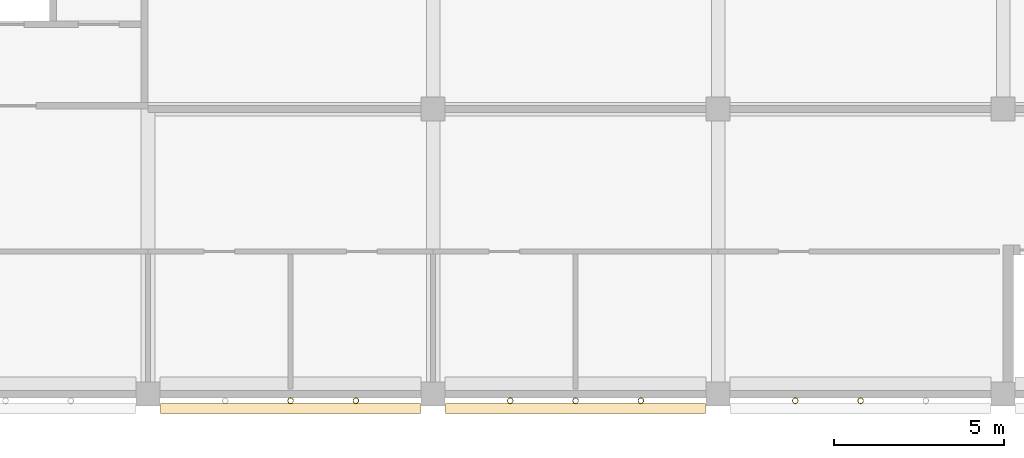
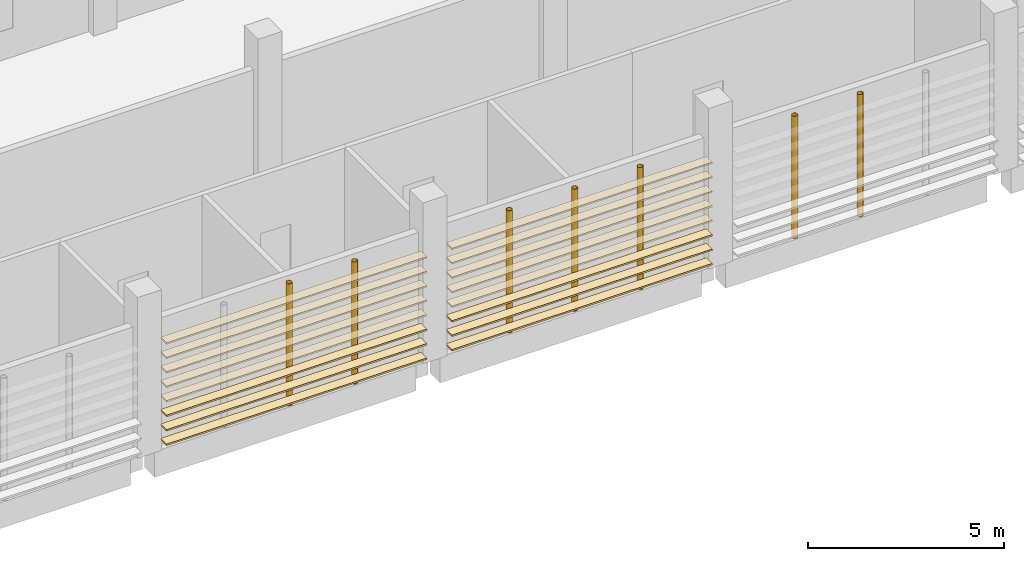
# One storey, part 54 of 82: 16 coverings, 7 shading devices.
"""IFC4 building model written with IfcOpenShell, lengths in metres."""

from ifc_helpers import new_model, si_unit, direction, frame, origin, origin_2d, place, context, subcontext, project, spatial, rectangle, hollow_circle, extrude, material, material_profile, profile_set, type_object, element, save


model = new_model("IFC4")

# Units and contexts
model_context = context("Model", 3, precision=1e-05, world=origin(), true_north=direction((0.0, 1.0)))
body_context = subcontext(model_context, "Body", "Model", "MODEL_VIEW")
ifc_project = project(units=[si_unit("LENGTHUNIT", "METRE"), si_unit("AREAUNIT", "SQUARE_METRE"), si_unit("VOLUMEUNIT", "CUBIC_METRE"), si_unit("PLANEANGLEUNIT", "RADIAN"), si_unit("MASSUNIT", "GRAM", prefix="KILO")], contexts=[model_context])

# Site, building, storey
site_placement = place(None, origin())
site = spatial("IfcSite", under=ifc_project, at=site_placement, CompositionType="ELEMENT")
building_placement = place(site_placement, origin())
building = spatial("IfcBuilding", under=site, at=building_placement, Name="Almond Square Museum", CompositionType="ELEMENT")
storey_placement = place(building_placement, frame((0.0, 0.0, 20.0)))
storey = spatial("IfcBuildingStorey", under=building, at=storey_placement, Name="L03", CompositionType="ELEMENT", Elevation=20.0)

# Shading devices
ifc_material_1 = material(Name="Structural steel S355", Category="steel")
ifc_material_profile_1 = material_profile(ifc_material_1, hollow_circle(Radius=0.084228515625, WallThickness=0.008056640625, at=origin_2d()))
ifc_profile_set_1 = profile_set([ifc_material_profile_1], Name="Structural steel S355")
shading_device_type = type_object("IfcShadingDeviceType", Name="Louvre post CHS 168.3 x 8", PredefinedType="USERDEFINED", material=ifc_profile_set_1)
for number, where, z_axis, x_axis, name in (
    (1, (69.0, -0.194091796875, 0.0), (0.0, 0.0, 1.0), (1.0, 0.0, 0.0), "Louvre screen post"),
    (2, (70.925048828125, -0.194091796875, 0.0), (0.0, 0.0, 1.0), (1.0, 0.0, 0.0), "Louvre screen post"),
    (3, (75.47509765625, -0.194091796875, 0.0), (0.0, 0.0, 1.0), (1.0, 0.0, 0.0), "Louvre screen post"),
    (4, (77.39990234375, -0.194091796875, 0.0), (0.0, 0.0, 1.0), (1.0, 0.0, 0.0), "Louvre screen post"),
    (5, (79.324951171875, -0.194091796875, 0.0), (0.0, 0.0, 1.0), (1.0, 0.0, 0.0), "Louvre screen post"),
    (6, (83.875, -0.194091796875, 0.0), (0.0, 0.0, 1.0), (1.0, 0.0, 0.0), "Louvre screen post"),
    (7, (85.800048828125, -0.194091796875, 0.0), (0.0, 0.0, 1.0), (1.0, 0.0, 0.0), "Louvre screen post"),
):
    element("IfcShadingDevice", number, at=place(storey_placement, frame(where, z_axis=z_axis, x_axis=x_axis)), inside=storey, type_object=shading_device_type, Name=name, ObjectType="POST", PredefinedType="USERDEFINED", context=body_context, shape_type="SweptSolid", body=[
        extrude(hollow_circle(Radius=0.084228515625, WallThickness=0.008056640625, at=origin_2d()), origin(), (0.0, 0.0, 1.0), 3.800048828125),
    ])

# Coverings
ifc_material_2 = material(Name="Cedar timber louvre board", Category="wood")
ifc_material_profile_2 = material_profile(ifc_material_2, rectangle(XDim=0.300048828125, YDim=0.050048828125, at=origin_2d()))
ifc_profile_set_2 = profile_set([ifc_material_profile_2], Name="Cedar timber louvre board")
covering_type = type_object("IfcCoveringType", Name="Louvre screen board 300 x 50", PredefinedType="CLADDING", material=ifc_profile_set_2)
for number, where, z_axis, x_axis, name in (
    (8, (65.169921875, -0.42431640625, 0.300048828125), (1.0, 0.0, 0.0), (0.0, 1.0, 0.0), "Louvre screen board"),
    (9, (65.169921875, -0.42431640625, 0.75), (1.0, 0.0, 0.0), (0.0, 1.0, 0.0), "Louvre screen board"),
    (10, (65.169921875, -0.42431640625, 1.199951171875), (1.0, 0.0, 0.0), (0.0, 1.0, 0.0), "Louvre screen board"),
    (11, (65.169921875, -0.42431640625, 1.64990234375), (1.0, 0.0, 0.0), (0.0, 1.0, 0.0), "Louvre screen board"),
    (12, (65.169921875, -0.42431640625, 2.10009765625), (1.0, 0.0, 0.0), (0.0, 1.0, 0.0), "Louvre screen board"),
    (13, (65.169921875, -0.42431640625, 2.550048828125), (1.0, 0.0, 0.0), (0.0, 1.0, 0.0), "Louvre screen board"),
    (14, (65.169921875, -0.42431640625, 3.0), (1.0, 0.0, 0.0), (0.0, 1.0, 0.0), "Louvre screen board"),
    (15, (65.169921875, -0.42431640625, 3.449951171875), (1.0, 0.0, 0.0), (0.0, 1.0, 0.0), "Louvre screen board"),
):
    element("IfcCovering", number, at=place(storey_placement, frame(where, z_axis=z_axis, x_axis=x_axis)), inside=storey, type_object=covering_type, Name=name, PredefinedType="CLADDING", context=body_context, shape_type="SweptSolid", body=[
        extrude(rectangle(XDim=0.300048828125, YDim=0.050048828125, at=origin_2d()), origin(), (0.0, 0.0, 1.0), 7.66015625),
    ])
for number, where, z_axis, x_axis, name in (
    (16, (73.570068359375, -0.42431640625, 0.300048828125), (1.0, 0.0, 0.0), (0.0, 1.0, 0.0), "Louvre screen board"),
    (17, (73.570068359375, -0.42431640625, 0.75), (1.0, 0.0, 0.0), (0.0, 1.0, 0.0), "Louvre screen board"),
    (18, (73.570068359375, -0.42431640625, 1.199951171875), (1.0, 0.0, 0.0), (0.0, 1.0, 0.0), "Louvre screen board"),
    (19, (73.570068359375, -0.42431640625, 1.64990234375), (1.0, 0.0, 0.0), (0.0, 1.0, 0.0), "Louvre screen board"),
    (20, (73.570068359375, -0.42431640625, 2.10009765625), (1.0, 0.0, 0.0), (0.0, 1.0, 0.0), "Louvre screen board"),
    (21, (73.570068359375, -0.42431640625, 2.550048828125), (1.0, 0.0, 0.0), (0.0, 1.0, 0.0), "Louvre screen board"),
    (22, (73.570068359375, -0.42431640625, 3.0), (1.0, 0.0, 0.0), (0.0, 1.0, 0.0), "Louvre screen board"),
    (23, (73.570068359375, -0.42431640625, 3.449951171875), (1.0, 0.0, 0.0), (0.0, 1.0, 0.0), "Louvre screen board"),
):
    element("IfcCovering", number, at=place(storey_placement, frame(where, z_axis=z_axis, x_axis=x_axis)), inside=storey, type_object=covering_type, Name=name, PredefinedType="CLADDING", context=body_context, shape_type="SweptSolid", body=[
        extrude(rectangle(XDim=0.300048828125, YDim=0.050048828125, at=origin_2d()), origin(), (0.0, 0.0, 1.0), 7.659912109375),
    ])

save(model, "model.ifc")
